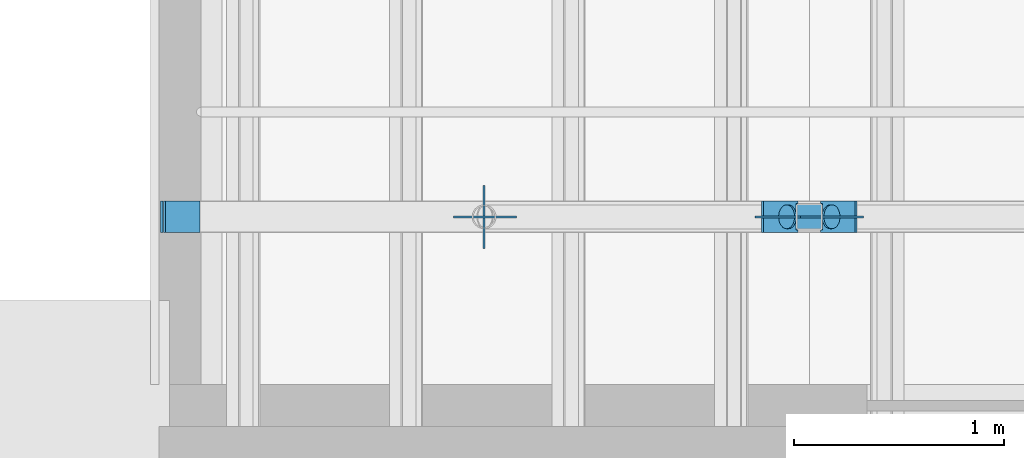
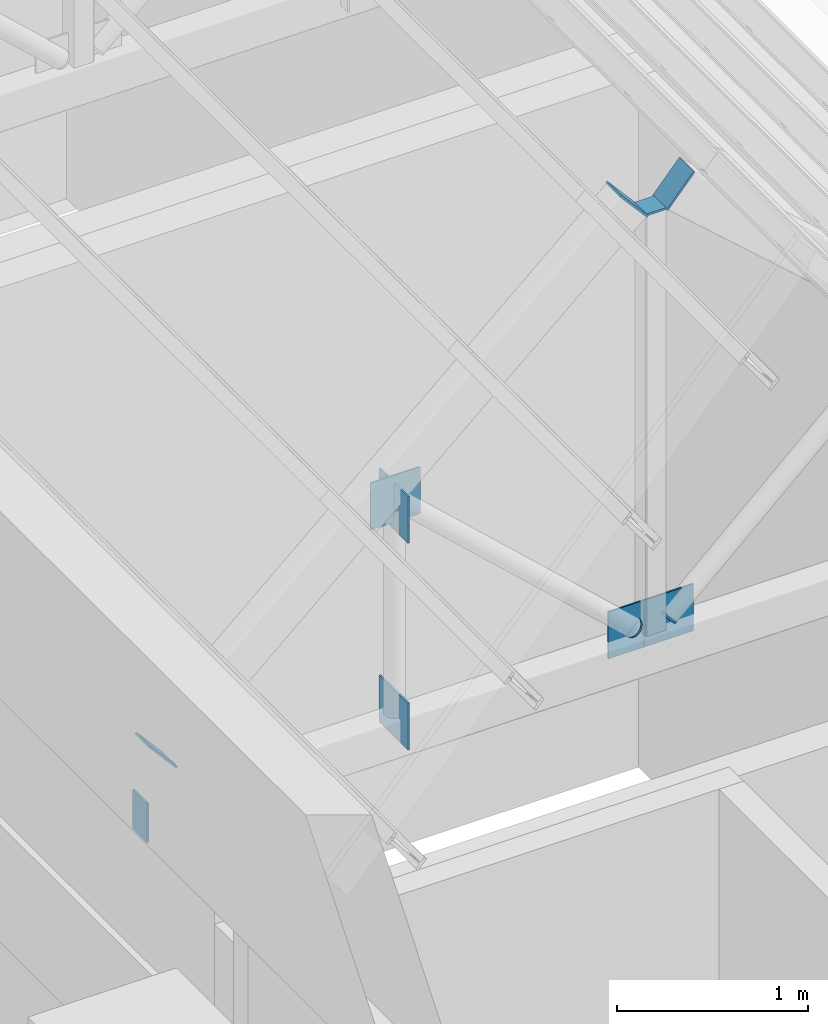
# One storey, part 96 of 118: 12 discrete accessories.
"""IFC4 building model written with IfcOpenShell, lengths in metres."""

from ifc_helpers import new_model, si_unit, direction, frame, origin, origin_2d, place, context, subcontext, project, spatial, rectangle, circle, extrude, material, material_profile, profile_set, type_object, element, save


model = new_model("IFC4")

# Units and contexts
model_context = context("Model", 3, precision=1e-05, world=origin(), true_north=direction((0.0, 1.0)))
body_context = subcontext(model_context, "Body", "Model", "MODEL_VIEW")
ifc_project = project(units=[si_unit("LENGTHUNIT", "METRE"), si_unit("AREAUNIT", "SQUARE_METRE"), si_unit("VOLUMEUNIT", "CUBIC_METRE"), si_unit("PLANEANGLEUNIT", "RADIAN"), si_unit("MASSUNIT", "GRAM", prefix="KILO")], contexts=[model_context])

# Site, building, storey
site_placement = place(None, origin())
site = spatial("IfcSite", under=ifc_project, at=site_placement, CompositionType="ELEMENT")
building_placement = place(site_placement, origin())
building = spatial("IfcBuilding", under=site, at=building_placement, Name="Saffron Lane Theatres", CompositionType="ELEMENT")
storey_placement = place(building_placement, frame((0.0, 0.0, 16.5)))
storey = spatial("IfcBuildingStorey", under=building, at=storey_placement, Name="L03", CompositionType="ELEMENT", Elevation=16.5)

# Discrete accessories
ifc_material_1 = material(Name="Steel Grade 350", Category="steel")
ifc_material_profile_1 = material_profile(ifc_material_1, rectangle(XDim=0.300048828125, YDim=0.300048828125, at=origin_2d()))
ifc_profile_set_1 = profile_set([ifc_material_profile_1], Name="Steel Grade 350")
discrete_accessory_type_1 = type_object("IfcDiscreteAccessoryType", Name="ST-GUSSET CONNECTION PLATE", PredefinedType="BRACKET", material=ifc_profile_set_1)
for number, where, z_axis, x_axis, name in (
    (1, (13.544921875, 61.0, 4.75), (1.0, 0.0, 0.0), (0.0, 1.0, 0.0), "GB225"),
    (2, (13.544921875, 61.0, 6.073486328125), (1.0, 0.0, 0.0), (0.0, 1.0, 0.0), "GB226"),
):
    element("IfcDiscreteAccessory", number, at=place(storey_placement, frame(where, z_axis=z_axis, x_axis=x_axis)), inside=storey, type_object=discrete_accessory_type_1, Name=name, PredefinedType="BRACKET", context=body_context, shape_type="SweptSolid", body=[
        extrude(rectangle(XDim=0.300048828125, YDim=0.300048828125, at=origin_2d()), origin(), (0.0, 0.0, 1.0), 0.010009765625),
    ])
for number, where, z_axis, x_axis, name in (
    (3, (14.991943359375, 60.9951171875, 4.7919921875), (0.0, 1.0, 0.0), (-1.0, 0.0, 0.0), "GB229"),
    (4, (13.55419921875, 60.9951171875, 6.120361328125), (0.0, 1.0, 0.0), (-1.0, 0.0, 0.0), "GB230"),
    (5, (15.2080078125, 60.9951171875, 4.7919921875), (0.0, 1.0, 0.0), (-1.0, 0.0, 0.0), "GB231"),
):
    element("IfcDiscreteAccessory", number, at=place(storey_placement, frame(where, z_axis=z_axis, x_axis=x_axis)), inside=storey, type_object=discrete_accessory_type_1, Name=name, PredefinedType="BRACKET", context=body_context, shape_type="SweptSolid", body=[
        extrude(rectangle(XDim=0.300048828125, YDim=0.300048828125, at=origin_2d()), origin(), (0.0, 0.0, 1.0), 0.009765625),
    ])
ifc_material_2 = material(Name="Steel Grade 350", Category="steel")
ifc_material_profile_2 = material_profile(ifc_material_2, circle(Radius=0.05712890625, at=origin_2d()))
ifc_profile_set_2 = profile_set([ifc_material_profile_2], Name="Steel Grade 350")
discrete_accessory_type_2 = type_object("IfcDiscreteAccessoryType", Name="ST-STEEL END CAP 114.3x6.0 CHS", PredefinedType="ANCHORPLATE", material=ifc_profile_set_2)
discrete_accessory_1_placement = place(storey_placement, frame((15.0009765625, 61.0, 4.783935546875), z_axis=(-0.746295434469, 0.0, 0.665614846958), x_axis=(0.0, -1.0, 0.0)))
element("IfcDiscreteAccessory", 6, at=discrete_accessory_1_placement, inside=storey, type_object=discrete_accessory_type_2, Name="EC345", PredefinedType="ANCHORPLATE", context=body_context, shape_type="SweptSolid", body=[
    extrude(circle(Radius=0.05712890625, at=origin_2d()), origin(), (0.0, 0.0, 1.0), 0.01220703125),
])
discrete_accessory_2_placement = place(storey_placement, frame((15.19921875, 61.0, 4.783935546875), z_axis=(0.737154140201, 0.0, 0.675724628517), x_axis=(0.0, 1.0, 0.0)))
element("IfcDiscreteAccessory", 7, at=discrete_accessory_2_placement, inside=storey, type_object=discrete_accessory_type_2, Name="EC346", PredefinedType="ANCHORPLATE", context=body_context, shape_type="SweptSolid", body=[
    extrude(circle(Radius=0.05712890625, at=origin_2d()), origin(), (0.0, 0.0, 1.0), 0.011962890625),
])
ifc_material_3 = material(Name="Steel Grade 350", Category="steel")
ifc_material_profile_3 = material_profile(ifc_material_3, rectangle(XDim=0.125, YDim=0.125, at=origin_2d()))
ifc_profile_set_3 = profile_set([ifc_material_profile_3], Name="Steel Grade 350")
discrete_accessory_type_3 = type_object("IfcDiscreteAccessoryType", Name="ST-STEEL END CAP 125x125x6 SHS", PredefinedType="ANCHORPLATE", material=ifc_profile_set_3)
discrete_accessory_3_placement = place(storey_placement, frame((15.10009765625, 61.0, 7.44287109375), z_axis=(0.0, 0.0, 1.0), x_axis=(1.0, 0.0, 0.0)))
element("IfcDiscreteAccessory", 8, at=discrete_accessory_3_placement, inside=storey, type_object=discrete_accessory_type_3, Name="EC344", PredefinedType="ANCHORPLATE", context=body_context, shape_type="SweptSolid", body=[
    extrude(rectangle(XDim=0.125, YDim=0.125, at=origin_2d()), origin(), (0.0, 0.0, 1.0), 0.01220703125),
])
ifc_material_4 = material(Name="Steel Grade 350", Category="steel")
ifc_material_profile_4 = material_profile(ifc_material_4, rectangle(XDim=0.14990234375, YDim=0.25, at=origin_2d()))
ifc_profile_set_4 = profile_set([ifc_material_profile_4], Name="Steel Grade 350")
discrete_accessory_type_4 = type_object("IfcDiscreteAccessoryType", Name="ST-STEEL END CAP 250x150x9 RHS", PredefinedType="ANCHORPLATE", material=ifc_profile_set_4)
for number, where, z_axis, x_axis, name in (
    (9, (12.008056640625, 61.0, 4.625), (1.0, 0.0, 0.0), (0.0, 1.0, 0.0), "EC338"),
    (10, (12.10400390625, 61.0, 5.00927734375), (0.756363172452, 0.0, 0.654151932932), (0.0, 1.0, 0.0), "EC340"),
    (11, (14.95458984375, 61.0, 7.53662109375), (0.756363172452, 0.0, 0.654151932932), (0.0, 1.0, 0.0), "EC341"),
    (12, (15.245361328125, 61.0, 7.53662109375), (-0.756363172452, 0.0, 0.654151932932), (0.0, -1.0, 0.0), "EC343"),
):
    element("IfcDiscreteAccessory", number, at=place(storey_placement, frame(where, z_axis=z_axis, x_axis=x_axis)), inside=storey, type_object=discrete_accessory_type_4, Name=name, PredefinedType="ANCHORPLATE", context=body_context, shape_type="SweptSolid", body=[
        extrude(rectangle(XDim=0.14990234375, YDim=0.25, at=origin_2d()), origin(), (0.0, 0.0, 1.0), 0.011962890625),
    ])

save(model, "model.ifc")
